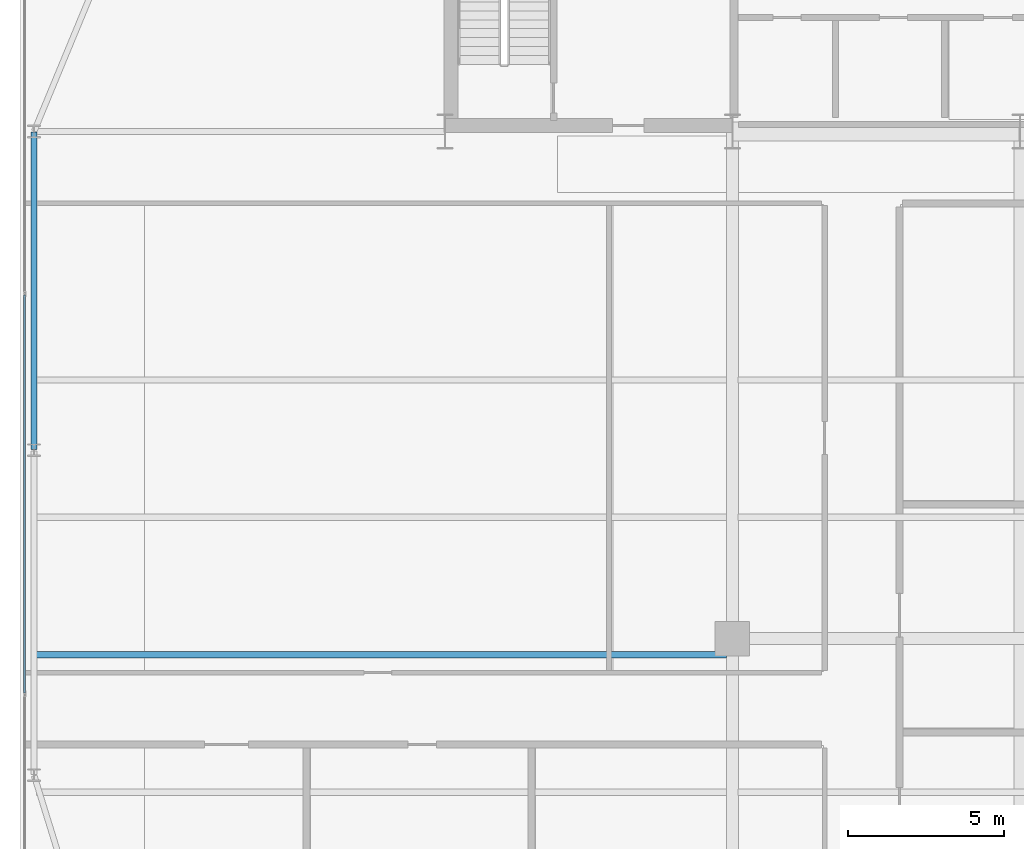
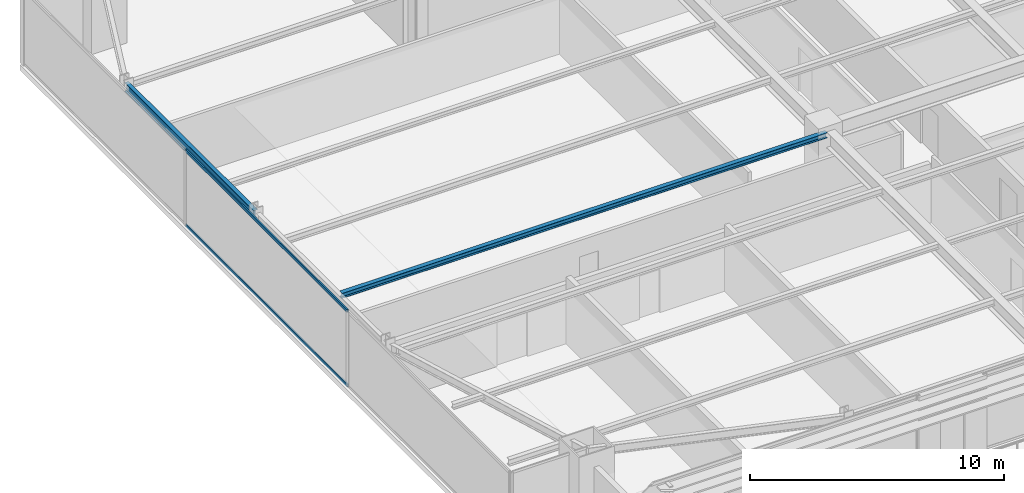
# One storey, part 9 of 29: 2 beams, 2 members, 1 element without a shape of its own.
"""IFC4 building model written with IfcOpenShell, lengths in metres."""

from ifc_helpers import new_model, si_unit, direction, frame, origin, origin_2d, place, context, subcontext, project, spatial, hollow_rectangle, i_section, extrude, source, transform, mapped, material, layer, layer_set, material_profile, profile_set, type_object, type_shapes, element, aggregate, save


model = new_model("IFC4")

# Units and contexts
model_context = context("Model", 3, precision=1e-05, world=origin(), true_north=direction((0.0, 1.0)))
body_context = subcontext(model_context, "Body", "Model", "MODEL_VIEW")
ifc_project = project(units=[si_unit("LENGTHUNIT", "METRE"), si_unit("AREAUNIT", "SQUARE_METRE"), si_unit("VOLUMEUNIT", "CUBIC_METRE"), si_unit("PLANEANGLEUNIT", "RADIAN"), si_unit("MASSUNIT", "GRAM", prefix="KILO")], contexts=[model_context])

# Site, building, storey
site_placement = place(None, origin())
site = spatial("IfcSite", under=ifc_project, at=site_placement, CompositionType="ELEMENT")
building_placement = place(site_placement, origin())
building = spatial("IfcBuilding", under=site, at=building_placement, Name="Varnel Quay Broadcast Tower", CompositionType="ELEMENT")
storey_placement = place(building_placement, frame((0.0, 0.0, 74.39990234375)))
storey = spatial("IfcBuildingStorey", under=building, at=storey_placement, Name="L17", CompositionType="ELEMENT", Elevation=74.39990234375)

# Beams
ifc_material_1 = material(Name="Structural Steel CSA G40.21 350W", Category="steel")
ifc_material_profile_1 = material_profile(ifc_material_1, i_section(OverallWidth=0.180908203125, OverallDepth=0.4169921875, WebThickness=0.010986328125, FlangeThickness=0.018310546875, FilletRadius=0.011962890625, at=origin_2d()), Name="W410X85")
ifc_profile_set_1 = profile_set([ifc_material_profile_1], Name="Structural Steel CSA G40.21 350W")
beam_type_1 = type_object("IfcBeamType", Name="Beam_W410X85", PredefinedType="SPANDREL", material=ifc_profile_set_1)
shared_shape_1 = source(origin(), body_context, "Body", "SweptSolid", [
    extrude(i_section(OverallWidth=0.180908203125, OverallDepth=0.4169921875, WebThickness=0.010986328125, FlangeThickness=0.018310546875, FilletRadius=0.011962890625, at=origin_2d()), origin(), (0.0, 0.0, 1.0), 10.16015625),
])
type_shapes(beam_type_1, [shared_shape_1])
beam_1_placement = place(storey_placement, frame((2.449951171875, 25.419921875, 3.441650390625), z_axis=(0.0, 1.0, 0.0), x_axis=(-1.0, 0.0, 0.0)))
element("IfcBeam", 1, at=beam_1_placement, inside=storey, type_object=beam_type_1, Name="L17 West Spandrel TC-W2-TC-W3", PredefinedType="SPANDREL", context=body_context, shape_type="MappedRepresentation", body=[
    mapped(shared_shape_1, transform((0.0, 0.0, 0.0), x_axis=(1.0, 0.0, 0.0), y_axis=(0.0, 1.0, 0.0), z_axis=(0.0, 0.0, 1.0), scale=1.0)),
])
ifc_material_profile_2 = material_profile(ifc_material_1, i_section(OverallWidth=0.201904296875, OverallDepth=0.2470703125, WebThickness=0.00732421875, FlangeThickness=0.010986328125, FilletRadius=0.010986328125, at=origin_2d()), Name="W250X49")
ifc_profile_set_2 = profile_set([ifc_material_profile_2], Name="Structural Steel CSA G40.21 350W")
beam_type_2 = type_object("IfcBeamType", Name="Beam_W250X49", PredefinedType="JOIST", material=ifc_profile_set_2)
shared_shape_2 = source(origin(), body_context, "Body", "SweptSolid", [
    extrude(i_section(OverallWidth=0.201904296875, OverallDepth=0.2470703125, WebThickness=0.00732421875, FlangeThickness=0.010986328125, FilletRadius=0.010986328125, at=origin_2d()), origin(), (0.0, 0.0, 1.0), 22.0791015625),
])
type_shapes(beam_type_2, [shared_shape_2])
beam_2_placement = place(storey_placement, frame((2.535400390625, 18.85009765625, 3.526611328125), z_axis=(1.0, 0.0, 0.0), x_axis=(0.0, 1.0, 0.0)))
element("IfcBeam", 2, at=beam_2_placement, inside=storey, type_object=beam_type_2, Name="L17 West Floor Joist 4", PredefinedType="JOIST", context=body_context, shape_type="MappedRepresentation", body=[
    mapped(shared_shape_2, transform((0.0, 0.0, 0.0), x_axis=(1.0, 0.0, 0.0), y_axis=(0.0, 1.0, 0.0), z_axis=(0.0, 0.0, 1.0), scale=1.0)),
])

# Curtain wall, members
ifc_material_2 = material(Name="Anodised Bronze Aluminium 6063-T6", Category="aluminium")
ifc_layer = layer(ifc_material_2, 0.18994140625, Name="Anodised Bronze Aluminium 6063-T6")
ifc_layer_set = layer_set([ifc_layer], Name="Anodised Bronze Aluminium 6063-T6")
curtain_wall_type = type_object("IfcCurtainWallType", Name="CW_LowerTower", PredefinedType="NOTDEFINED", material=ifc_layer_set)
curtain_wall_placement = place(storey_placement, origin())
curtain_wall = element("IfcCurtainWall", 3, at=curtain_wall_placement, inside=storey, type_object=curtain_wall_type, Name="L17 West Unitised Curtain Wall", PredefinedType="NOTDEFINED")
ifc_material_profile_3 = material_profile(ifc_material_2, hollow_rectangle(XDim=0.06005859375, YDim=0.14501953125, WallThickness=0.00341796875, at=origin_2d()), Name="ALU60X145X3.5")
ifc_profile_set_3 = profile_set([ifc_material_profile_3], Name="Anodised Bronze Aluminium 6063-T6")
member_type = type_object("IfcMemberType", Name="Tran_CWS-02", PredefinedType="USERDEFINED", material=ifc_profile_set_3)
shared_shape_3 = source(origin(), body_context, "Body", "SweptSolid", [
    extrude(hollow_rectangle(XDim=0.06005859375, YDim=0.14501953125, WallThickness=0.00341796875, at=origin_2d()), origin(), (0.0, 0.0, 1.0), 12.72998046875),
])
type_shapes(member_type, [shared_shape_3])
member_1_placement = place(storey_placement, frame((2.14990234375, 17.635009765625, 0.030029296875), z_axis=(0.0, 1.0, 0.0), x_axis=(-1.0, 0.0, 0.0)))
member_1 = element("IfcMember", 4, at=member_1_placement, type_object=member_type, Name="CWS-02 transom 2.1", ObjectType="TRANSOM", PredefinedType="USERDEFINED", context=body_context, shape_type="MappedRepresentation", body=[
    mapped(shared_shape_3, transform((0.0, 0.0, 0.0), x_axis=(1.0, 0.0, 0.0), y_axis=(0.0, 1.0, 0.0), z_axis=(0.0, 0.0, 1.0), scale=1.0)),
])
member_2_placement = place(storey_placement, frame((2.14990234375, 17.635009765625, 3.6201171875), z_axis=(0.0, 1.0, 0.0), x_axis=(-1.0, 0.0, 0.0)))
member_2 = element("IfcMember", 5, at=member_2_placement, type_object=member_type, Name="CWS-02 transom 2.2", ObjectType="TRANSOM", PredefinedType="USERDEFINED", context=body_context, shape_type="MappedRepresentation", body=[
    mapped(shared_shape_3, transform((0.0, 0.0, 0.0), x_axis=(1.0, 0.0, 0.0), y_axis=(0.0, 1.0, 0.0), z_axis=(0.0, 0.0, 1.0), scale=1.0)),
])
aggregate(curtain_wall, [member_1, member_2])

save(model, "model.ifc")
